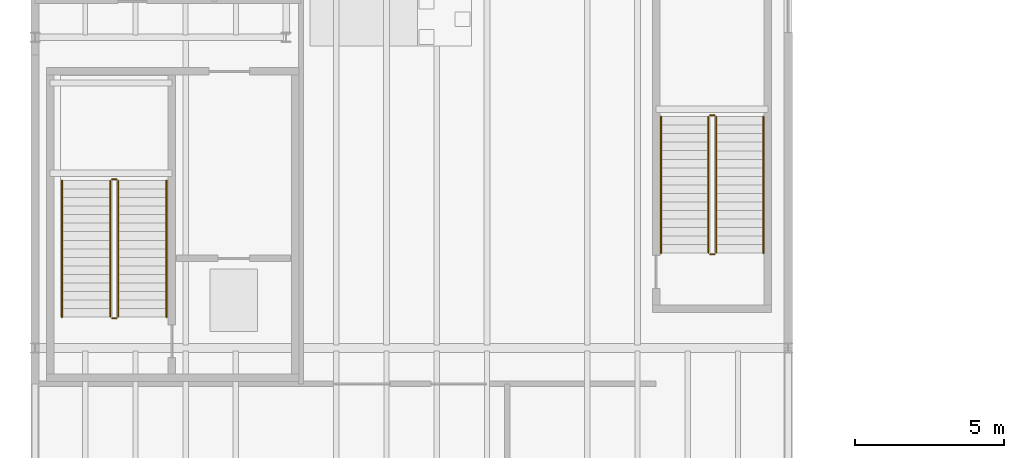
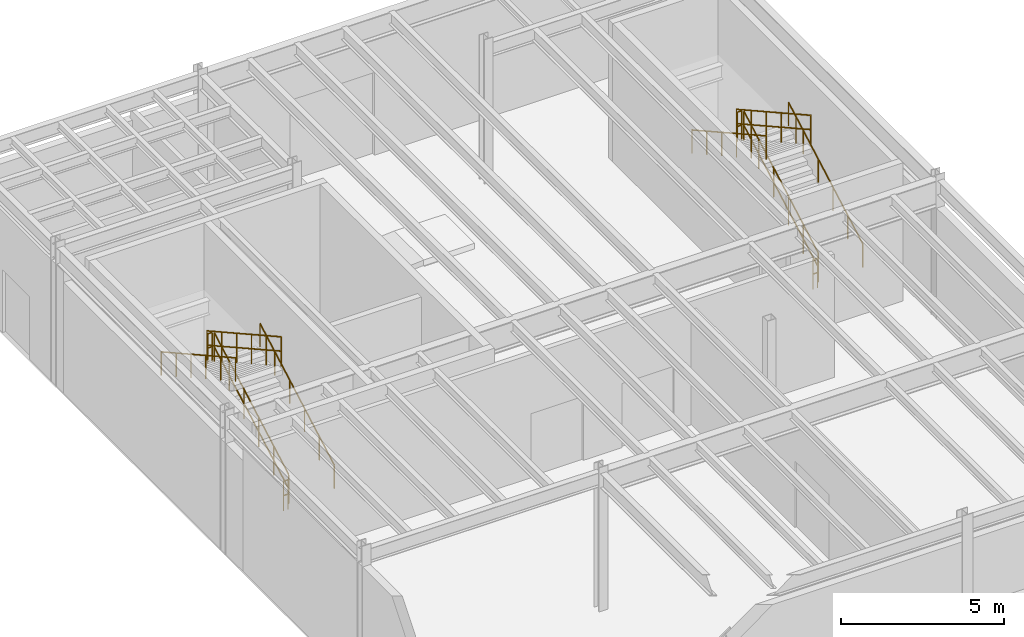
# One storey, part 84 of 87: 12 railings.
"""IFC4 building model written with IfcOpenShell, lengths in metres."""

import ifcopenshell
import ifcopenshell.guid

model = None  # the IFC model being written
_history = None  # IfcOwnerHistory: only IFC2X3 demands one
_inside = {}  # id of a spatial element -> (the spatial element, [elements in it])
_under = {}  # id of a project, library or spatial element -> (it, [spatial elements below it])
_declared = {}  # id of a project -> (the project, [libraries it declares])
_typed = {}  # id of a type object -> (the type object, [elements of that type])
_made_of = {}  # id of a material, layer set ... -> (it, [elements and type objects made of it])


def new_model(schema):
    """Start an empty IFC model of exactly this schema.

    Asked for "IFC4X3", IfcOpenShell would pick the latest addendum, in which some entities
    have other attributes; the version numbers below select the first issue.
    IFC2X3 requires an IfcOwnerHistory on every rooted entity: one is made here for all.
    """
    global model, _history
    if schema == "IFC4X3":
        model = ifcopenshell.file(schema_version=(4, 3, 0, 0))
    else:
        model = ifcopenshell.file(schema=schema)
    _inside.clear()
    _under.clear()
    _declared.clear()
    _typed.clear()
    _made_of.clear()
    _history = None
    if model.schema == "IFC2X3":
        org = make("IfcOrganization", Name="unknown")
        user = make(
            "IfcPersonAndOrganization",
            ThePerson=make("IfcPerson", FamilyName="unknown"),
            TheOrganization=org,
        )
        app = make(
            "IfcApplication",
            ApplicationDeveloper=org,
            Version="unknown",
            ApplicationFullName="unknown",
            ApplicationIdentifier="unknown",
        )
        _history = make(
            "IfcOwnerHistory",
            OwningUser=user,
            OwningApplication=app,
            ChangeAction="ADDED",
            CreationDate=0,
        )
    return model


def make(cls, **values):
    """One entity of the class cls with the attributes given. An attribute that is None is left unset."""
    return model.create_entity(
        cls, **{name: value for name, value in values.items() if value is not None}
    )


def rooted(cls, **values):
    """An entity with a GlobalId (a new one), such as an element, a storey or a relation."""
    return make(cls, GlobalId=ifcopenshell.guid.new(), OwnerHistory=_history, **values)


def si_unit(unit_type, name, prefix=None):
    """IfcSIUnit, for example si_unit("LENGTHUNIT", "METRE", prefix="MILLI")."""
    return make("IfcSIUnit", UnitType=unit_type, Prefix=prefix, Name=name)


def assignment(units):
    """IfcUnitAssignment: the units of a project."""
    return None if units is None else make("IfcUnitAssignment", Units=units)


def point(xyz):
    """IfcCartesianPoint."""
    return None if xyz is None else make("IfcCartesianPoint", Coordinates=xyz)


def direction(xyz):
    """IfcDirection."""
    return None if xyz is None else make("IfcDirection", DirectionRatios=xyz)


def frame(location, z_axis=None, x_axis=None):
    """IfcAxis2Placement3D, a coordinate frame: its origin and axes. An axis left out is left unset."""
    return make(
        "IfcAxis2Placement3D",
        Location=point(location),
        Axis=direction(z_axis),
        RefDirection=direction(x_axis),
    )


def frame_2d(location, x_axis=None):
    """IfcAxis2Placement2D, a coordinate frame in the plane: its origin and x axis."""
    return make(
        "IfcAxis2Placement2D", Location=point(location), RefDirection=direction(x_axis)
    )


def origin():
    """The frame at (0, 0, 0) with its axes left unset."""
    return frame((0.0, 0.0, 0.0))


def origin_2d():
    """The frame at (0, 0) in the plane with its x axis left unset."""
    return frame_2d((0.0, 0.0))


def place(relative_to, where):
    """IfcLocalPlacement: puts the frame where relative to a parent placement (None: the world)."""
    return make(
        "IfcLocalPlacement", PlacementRelTo=relative_to, RelativePlacement=where
    )


def context(
    kind, dimensions, precision=None, world=None, true_north=None, identifier=None
):
    """IfcGeometricRepresentationContext, for example the 3D "Model" context."""
    return make(
        "IfcGeometricRepresentationContext",
        ContextIdentifier=identifier,
        ContextType=kind,
        CoordinateSpaceDimension=dimensions,
        Precision=precision,
        WorldCoordinateSystem=world,
        TrueNorth=true_north,
    )


def subcontext(parent, identifier, kind, view, scale=None):
    """IfcGeometricRepresentationSubContext, for example "Body" below "Model"."""
    return make(
        "IfcGeometricRepresentationSubContext",
        ContextIdentifier=identifier,
        ContextType=kind,
        ParentContext=parent,
        TargetScale=scale,
        TargetView=view,
    )


def project(units=None, contexts=None):
    """IfcProject with its units and contexts."""
    return rooted(
        "IfcProject",
        Name="project",
        RepresentationContexts=contexts,
        UnitsInContext=assignment(units),
    )


def spatial(cls, under=None, at=None, **own):
    """A site, building, storey or space (cls), placed at a placement, below another one or the project."""
    s = rooted(cls, ObjectPlacement=at, **own)
    if under is not None:
        _under.setdefault(under.id(), (under, []))[1].append(s)
    return s


def profile(cls, at=None, kind="AREA", **sizes):
    """A parametric profile (cls). Its sizes go by their IFC names, for example OverallWidth=200.0."""
    return make(cls, ProfileType=kind, Position=at, **sizes)


def circle(**sizes):
    """IfcCircleProfileDef."""
    return profile("IfcCircleProfileDef", **sizes)


def extrude(swept, where, along, depth):
    """IfcExtrudedAreaSolid: the profile swept, set in the frame where, extruded along a direction by depth."""
    return make(
        "IfcExtrudedAreaSolid",
        SweptArea=swept,
        Position=where,
        ExtrudedDirection=direction(along),
        Depth=depth,
    )


def shape(context_of_items, identifier, shape_type, items):
    """IfcShapeRepresentation: the items that make up one representation, for example the "Body"."""
    return make(
        "IfcShapeRepresentation",
        ContextOfItems=context_of_items,
        RepresentationIdentifier=identifier,
        RepresentationType=shape_type,
        Items=items,
    )


def material(Name=None, Category=None):
    """IfcMaterial."""
    return make("IfcMaterial", Name=Name, Category=Category)


def layer(
    of_material, thickness, ventilated=None, Name=None, Category=None, Priority=None
):
    """IfcMaterialLayer: one layer of a wall or slab, of a material (None: an air gap)."""
    return make(
        "IfcMaterialLayer",
        Material=of_material,
        LayerThickness=thickness,
        IsVentilated=ventilated,
        Name=Name,
        Category=Category,
        Priority=Priority,
    )


def layer_set(layers, Name=None):
    """IfcMaterialLayerSet."""
    return make("IfcMaterialLayerSet", MaterialLayers=layers, LayerSetName=Name)


def made_of(thing, what):
    """Note that an element or type object is made of a material, layer set ...; save() writes the relation."""
    if what is not None:
        _made_of.setdefault(what.id(), (what, []))[1].append(thing)
    return thing


def type_object(cls, material=None, **own):
    """A type object (cls), such as IfcWallType, which elements share."""
    return made_of(rooted(cls, **own), material)


def element(
    cls,
    number,
    at=None,
    inside=None,
    cuts=None,
    type_object=None,
    material=None,
    context=None,
    identifier="Body",
    shape_type=None,
    held_by="IfcProductDefinitionShape",
    body=None,
    shapes=None,
    **own,
):
    """One element of the class cls, such as IfcWall. Its Tag is "e" and its number.

    at: its placement. inside: the storey or other place that contains it. cuts: it is an
    opening in that element (IfcRelVoidsElement). A single representation is given by context,
    identifier, shape_type and body (its items); several are given by shapes. held_by: the class
    of the entity that holds the representations. save() writes the other relations.
    """
    e = rooted(cls, Tag="e%d" % number, ObjectPlacement=at, **own)
    if body is not None:
        shapes = [shape(context, identifier, shape_type, body)]
    if shapes is not None:
        e.Representation = make(held_by, Representations=shapes)
    if inside is not None:
        _inside.setdefault(inside.id(), (inside, []))[1].append(e)
    if cuts is not None:
        rooted(
            "IfcRelVoidsElement", RelatingBuildingElement=cuts, RelatedOpeningElement=e
        )
    if type_object is not None:
        _typed.setdefault(type_object.id(), (type_object, []))[1].append(e)
    return made_of(e, material)


def aggregate(whole, parts):
    """IfcRelAggregates: a whole, such as a stair, and the parts it consists of."""
    return rooted("IfcRelAggregates", RelatingObject=whole, RelatedObjects=parts)


def save(model, path):
    """Write the relations noted so far, then the file.

    IfcRelAggregates (storeys below a building ...), IfcRelContainedInSpatialStructure (elements
    in a storey), IfcRelDefinesByType, IfcRelAssociatesMaterial and IfcRelDeclares: one each for
    every whole, place, type object, material and project.
    """
    for whole, parts in _under.values():
        aggregate(whole, parts)
    for where, things in _inside.values():
        rooted(
            "IfcRelContainedInSpatialStructure",
            RelatedElements=things,
            RelatingStructure=where,
        )
    for kind, things in _typed.values():
        rooted("IfcRelDefinesByType", RelatedObjects=things, RelatingType=kind)
    for what, things in _made_of.values():
        rooted("IfcRelAssociatesMaterial", RelatedObjects=things, RelatingMaterial=what)
    for by, libraries in _declared.values():
        rooted("IfcRelDeclares", RelatingContext=by, RelatedDefinitions=libraries)
    model.write(path)


model = new_model("IFC4")

# Units and contexts
model_context = context("Model", 3, precision=1e-05, world=origin(), true_north=direction((0.0, 1.0)))
body_context = subcontext(model_context, "Body", "Model", "MODEL_VIEW")
ifc_project = project(units=[si_unit("LENGTHUNIT", "METRE"), si_unit("AREAUNIT", "SQUARE_METRE"), si_unit("VOLUMEUNIT", "CUBIC_METRE"), si_unit("PLANEANGLEUNIT", "RADIAN"), si_unit("MASSUNIT", "GRAM", prefix="KILO")], contexts=[model_context])

# Site, building, storey
site_placement = place(None, origin())
site = spatial("IfcSite", under=ifc_project, at=site_placement, CompositionType="ELEMENT")
building_placement = place(site_placement, origin())
building = spatial("IfcBuilding", under=site, at=building_placement, Name="Selat Folded Stagehouse", CompositionType="ELEMENT")
storey_placement = place(building_placement, origin())
storey = spatial("IfcBuildingStorey", under=building, at=storey_placement, Name="L00", CompositionType="ELEMENT", Elevation=0.0)

# Railings
ifc_material_1 = material(Name="Bronze-anodised steel balustrade", Category="steel")
ifc_layer_1 = layer(ifc_material_1, 0.06494140625)
ifc_layer_set_1 = layer_set([ifc_layer_1], Name="Bronze-anodised steel balustrade")
railing_type_1 = type_object("IfcRailingType", Name="RLG-BAL-1120", PredefinedType="BALUSTRADE", material=ifc_layer_set_1)
railing_1_placement = place(storey_placement, frame((2.780029296875, 71.840087890625, 0.158935546875)))
element("IfcRailing", 1, at=railing_1_placement, inside=storey, type_object=railing_type_1, Name="L00 ST-05 stair well guard 1", PredefinedType="BALUSTRADE", context=body_context, shape_type="SweptSolid", body=[
    extrude(circle(Radius=0.02392578125, at=origin_2d()), frame((0.0, 0.0, 1.09619140625), z_axis=(0.0, 0.873523373218, 0.486782206374), x_axis=(-1.0, 0.0, 0.0)), (0.0, 0.0, 1.0), 5.219970703125),
    extrude(circle(Radius=0.02392578125, at=origin_2d()), frame((0.0, 0.0, 0.56005859375), z_axis=(0.0, 0.873523373218, 0.486782206374), x_axis=(-1.0, 0.0, 0.0)), (0.0, 0.0, 1.0), 5.219970703125),
    extrude(circle(Radius=0.02099609375, at=origin_2d()), origin(), (0.0, 0.0, 1.0), 1.072021484375),
    extrude(circle(Radius=0.02099609375, at=origin_2d()), frame((0.0, 0.911865234375, 0.50830078125)), (0.0, 0.0, 1.0), 1.072021484375),
    extrude(circle(Radius=0.02099609375, at=origin_2d()), frame((0.0, 1.823974609375, 1.016357421875)), (0.0, 0.0, 1.0), 1.072021484375),
    extrude(circle(Radius=0.02099609375, at=origin_2d()), frame((0.0, 2.73583984375, 1.524658203125)), (0.0, 0.0, 1.0), 1.072021484375),
    extrude(circle(Radius=0.02099609375, at=origin_2d()), frame((0.0, 3.64794921875, 2.03271484375)), (0.0, 0.0, 1.0), 1.072021484375),
    extrude(circle(Radius=0.02099609375, at=origin_2d()), frame((0.0, 4.559814453125, 2.541015625)), (0.0, 0.0, 1.0), 1.072021484375),
])
railing_2_placement = place(storey_placement, frame((2.72998046875, 76.449951171875, 2.699951171875)))
element("IfcRailing", 2, at=railing_2_placement, inside=storey, type_object=railing_type_1, Name="L00 ST-05 stair well guard 2", PredefinedType="BALUSTRADE", context=body_context, shape_type="SweptSolid", body=[
    extrude(circle(Radius=0.02392578125, at=origin_2d()), frame((0.0, 0.0, 1.09619140625), z_axis=(-1.0, 0.0, 0.0), x_axis=(0.0, -1.0, 0.0)), (0.0, 0.0, 1.0), 0.159912109375),
    extrude(circle(Radius=0.02392578125, at=origin_2d()), frame((0.0, 0.0, 0.56005859375), z_axis=(-1.0, 0.0, 0.0), x_axis=(0.0, -1.0, 0.0)), (0.0, 0.0, 1.0), 0.159912109375),
    extrude(circle(Radius=0.02099609375, at=origin_2d()), origin(), (0.0, 0.0, 1.0), 1.072021484375),
    extrude(circle(Radius=0.02099609375, at=origin_2d()), frame((-0.159912109375, 0.0, 0.0)), (0.0, 0.0, 1.0), 1.072021484375),
])
railing_3_placement = place(storey_placement, frame((2.52001953125, 76.39990234375, 2.85888671875)))
element("IfcRailing", 3, at=railing_3_placement, inside=storey, type_object=railing_type_1, Name="L00 ST-05 stair well guard 3", PredefinedType="BALUSTRADE", context=body_context, shape_type="SweptSolid", body=[
    extrude(circle(Radius=0.02392578125, at=origin_2d()), frame((0.0, 0.0, 1.09619140625), z_axis=(0.0, -0.873523373218, 0.486782206374), x_axis=(1.0, 0.0, 0.0)), (0.0, 0.0, 1.0), 5.219970703125),
    extrude(circle(Radius=0.02392578125, at=origin_2d()), frame((0.0, 0.0, 0.56005859375), z_axis=(0.0, -0.873523373218, 0.486782206374), x_axis=(1.0, 0.0, 0.0)), (0.0, 0.0, 1.0), 5.219970703125),
    extrude(circle(Radius=0.02099609375, at=origin_2d()), origin(), (0.0, 0.0, 1.0), 1.072021484375),
    extrude(circle(Radius=0.02099609375, at=origin_2d()), frame((0.0, -0.911865234375, 0.50830078125)), (0.0, 0.0, 1.0), 1.072021484375),
    extrude(circle(Radius=0.02099609375, at=origin_2d()), frame((0.0, -1.823974609375, 1.016357421875)), (0.0, 0.0, 1.0), 1.072021484375),
    extrude(circle(Radius=0.02099609375, at=origin_2d()), frame((0.0, -2.73583984375, 1.524658203125)), (0.0, 0.0, 1.0), 1.072021484375),
    extrude(circle(Radius=0.02099609375, at=origin_2d()), frame((0.0, -3.64794921875, 2.03271484375)), (0.0, 0.0, 1.0), 1.072021484375),
    extrude(circle(Radius=0.02099609375, at=origin_2d()), frame((0.0, -4.559814453125, 2.541015625)), (0.0, 0.0, 1.0), 1.072021484375),
])
railing_4_placement = place(storey_placement, frame((2.72998046875, 71.7900390625, 0.0)))
element("IfcRailing", 4, at=railing_4_placement, inside=storey, type_object=railing_type_1, Name="L00 ST-05 stair well guard 4", PredefinedType="BALUSTRADE", context=body_context, shape_type="SweptSolid", body=[
    extrude(circle(Radius=0.02392578125, at=origin_2d()), frame((0.0, 0.0, 1.09619140625), z_axis=(-1.0, 0.0, 0.0), x_axis=(0.0, -1.0, 0.0)), (0.0, 0.0, 1.0), 0.159912109375),
    extrude(circle(Radius=0.02392578125, at=origin_2d()), frame((0.0, 0.0, 0.56005859375), z_axis=(-1.0, 0.0, 0.0), x_axis=(0.0, -1.0, 0.0)), (0.0, 0.0, 1.0), 0.159912109375),
    extrude(circle(Radius=0.02099609375, at=origin_2d()), origin(), (0.0, 0.0, 1.0), 1.072021484375),
    extrude(circle(Radius=0.02099609375, at=origin_2d()), frame((-0.159912109375, 0.0, 0.0)), (0.0, 0.0, 1.0), 1.072021484375),
])
railing_5_placement = place(storey_placement, frame((22.7900390625, 73.97998046875, 0.158935546875)))
element("IfcRailing", 5, at=railing_5_placement, inside=storey, type_object=railing_type_1, Name="L00 ST-07 stair well guard 1", PredefinedType="BALUSTRADE", context=body_context, shape_type="SweptSolid", body=[
    extrude(circle(Radius=0.02392578125, at=origin_2d()), frame((0.0, 0.0, 1.09619140625), z_axis=(0.0, 0.873534455015, 0.486762319723), x_axis=(-1.0, 0.0, 0.0)), (0.0, 0.0, 1.0), 5.22021484375),
    extrude(circle(Radius=0.02392578125, at=origin_2d()), frame((0.0, 0.0, 0.56005859375), z_axis=(0.0, 0.873534455015, 0.486762319723), x_axis=(-1.0, 0.0, 0.0)), (0.0, 0.0, 1.0), 5.22021484375),
    extrude(circle(Radius=0.02099609375, at=origin_2d()), origin(), (0.0, 0.0, 1.0), 1.072021484375),
    extrude(circle(Radius=0.02099609375, at=origin_2d()), frame((0.0, 0.912109375, 0.50830078125)), (0.0, 0.0, 1.0), 1.072021484375),
    extrude(circle(Radius=0.02099609375, at=origin_2d()), frame((0.0, 1.823974609375, 1.016357421875)), (0.0, 0.0, 1.0), 1.072021484375),
    extrude(circle(Radius=0.02099609375, at=origin_2d()), frame((0.0, 2.736083984375, 1.524658203125)), (0.0, 0.0, 1.0), 1.072021484375),
    extrude(circle(Radius=0.02099609375, at=origin_2d()), frame((0.0, 3.64794921875, 2.03271484375)), (0.0, 0.0, 1.0), 1.072021484375),
    extrude(circle(Radius=0.02099609375, at=origin_2d()), frame((0.0, 4.56005859375, 2.541015625)), (0.0, 0.0, 1.0), 1.072021484375),
])
railing_6_placement = place(storey_placement, frame((22.739990234375, 78.590087890625, 2.699951171875)))
element("IfcRailing", 6, at=railing_6_placement, inside=storey, type_object=railing_type_1, Name="L00 ST-07 stair well guard 2", PredefinedType="BALUSTRADE", context=body_context, shape_type="SweptSolid", body=[
    extrude(circle(Radius=0.02392578125, at=origin_2d()), frame((0.0, 0.0, 1.09619140625), z_axis=(-1.0, 0.0, 0.0), x_axis=(0.0, -1.0, 0.0)), (0.0, 0.0, 1.0), 0.159912109375),
    extrude(circle(Radius=0.02392578125, at=origin_2d()), frame((0.0, 0.0, 0.56005859375), z_axis=(-1.0, 0.0, 0.0), x_axis=(0.0, -1.0, 0.0)), (0.0, 0.0, 1.0), 0.159912109375),
    extrude(circle(Radius=0.02099609375, at=origin_2d()), origin(), (0.0, 0.0, 1.0), 1.072021484375),
    extrude(circle(Radius=0.02099609375, at=origin_2d()), frame((-0.159912109375, 0.0, 0.0)), (0.0, 0.0, 1.0), 1.072021484375),
])
railing_7_placement = place(storey_placement, frame((22.530029296875, 78.5400390625, 2.85888671875)))
element("IfcRailing", 7, at=railing_7_placement, inside=storey, type_object=railing_type_1, Name="L00 ST-07 stair well guard 3", PredefinedType="BALUSTRADE", context=body_context, shape_type="SweptSolid", body=[
    extrude(circle(Radius=0.02392578125, at=origin_2d()), frame((0.0, 0.0, 1.09619140625), z_axis=(0.0, -0.873534455015, 0.486762319723), x_axis=(1.0, 0.0, 0.0)), (0.0, 0.0, 1.0), 5.22021484375),
    extrude(circle(Radius=0.02392578125, at=origin_2d()), frame((0.0, 0.0, 0.56005859375), z_axis=(0.0, -0.873534455015, 0.486762319723), x_axis=(1.0, 0.0, 0.0)), (0.0, 0.0, 1.0), 5.22021484375),
    extrude(circle(Radius=0.02099609375, at=origin_2d()), origin(), (0.0, 0.0, 1.0), 1.072021484375),
    extrude(circle(Radius=0.02099609375, at=origin_2d()), frame((0.0, -0.912109375, 0.50830078125)), (0.0, 0.0, 1.0), 1.072021484375),
    extrude(circle(Radius=0.02099609375, at=origin_2d()), frame((0.0, -1.823974609375, 1.016357421875)), (0.0, 0.0, 1.0), 1.072021484375),
    extrude(circle(Radius=0.02099609375, at=origin_2d()), frame((0.0, -2.736083984375, 1.524658203125)), (0.0, 0.0, 1.0), 1.072021484375),
    extrude(circle(Radius=0.02099609375, at=origin_2d()), frame((0.0, -3.64794921875, 2.03271484375)), (0.0, 0.0, 1.0), 1.072021484375),
    extrude(circle(Radius=0.02099609375, at=origin_2d()), frame((0.0, -4.56005859375, 2.541015625)), (0.0, 0.0, 1.0), 1.072021484375),
])
railing_8_placement = place(storey_placement, frame((22.739990234375, 73.929931640625, 0.0)))
element("IfcRailing", 8, at=railing_8_placement, inside=storey, type_object=railing_type_1, Name="L00 ST-07 stair well guard 4", PredefinedType="BALUSTRADE", context=body_context, shape_type="SweptSolid", body=[
    extrude(circle(Radius=0.02392578125, at=origin_2d()), frame((0.0, 0.0, 1.09619140625), z_axis=(-1.0, 0.0, 0.0), x_axis=(0.0, -1.0, 0.0)), (0.0, 0.0, 1.0), 0.159912109375),
    extrude(circle(Radius=0.02392578125, at=origin_2d()), frame((0.0, 0.0, 0.56005859375), z_axis=(-1.0, 0.0, 0.0), x_axis=(0.0, -1.0, 0.0)), (0.0, 0.0, 1.0), 0.159912109375),
    extrude(circle(Radius=0.02099609375, at=origin_2d()), origin(), (0.0, 0.0, 1.0), 1.072021484375),
    extrude(circle(Radius=0.02099609375, at=origin_2d()), frame((-0.159912109375, 0.0, 0.0)), (0.0, 0.0, 1.0), 1.072021484375),
])
ifc_material_2 = material(Name="Brushed stainless steel 1.4301", Category="steel")
ifc_layer_2 = layer(ifc_material_2, 0.048095703125)
ifc_layer_set_2 = layer_set([ifc_layer_2], Name="Brushed stainless steel 1.4301")
railing_type_2 = type_object("IfcRailingType", Name="RLG-HANDRAIL-900", PredefinedType="HANDRAIL", material=ifc_layer_set_2)
railing_9_placement = place(storey_placement, frame((4.39990234375, 71.840087890625, 0.158935546875)))
element("IfcRailing", 9, at=railing_9_placement, inside=storey, type_object=railing_type_2, Name="L00 ST-05 wall handrail 1", PredefinedType="HANDRAIL", context=body_context, shape_type="SweptSolid", body=[
    extrude(circle(Radius=0.02392578125, at=origin_2d()), frame((0.0, 0.0, 0.8759765625), z_axis=(0.0, 0.873523373218, 0.486782206374), x_axis=(-1.0, 0.0, 0.0)), (0.0, 0.0, 1.0), 5.219970703125),
    extrude(circle(Radius=0.02099609375, at=origin_2d()), origin(), (0.0, 0.0, 1.0), 0.851806640625),
    extrude(circle(Radius=0.02099609375, at=origin_2d()), frame((0.0, 0.911865234375, 0.50830078125)), (0.0, 0.0, 1.0), 0.851806640625),
    extrude(circle(Radius=0.02099609375, at=origin_2d()), frame((0.0, 1.823974609375, 1.016357421875)), (0.0, 0.0, 1.0), 0.851806640625),
    extrude(circle(Radius=0.02099609375, at=origin_2d()), frame((0.0, 2.73583984375, 1.524658203125)), (0.0, 0.0, 1.0), 0.851806640625),
    extrude(circle(Radius=0.02099609375, at=origin_2d()), frame((0.0, 3.64794921875, 2.03271484375)), (0.0, 0.0, 1.0), 0.851806640625),
    extrude(circle(Radius=0.02099609375, at=origin_2d()), frame((0.0, 4.559814453125, 2.541015625)), (0.0, 0.0, 1.0), 0.851806640625),
])
railing_10_placement = place(storey_placement, frame((0.89990234375, 76.39990234375, 2.85888671875)))
element("IfcRailing", 10, at=railing_10_placement, inside=storey, type_object=railing_type_2, Name="L00 ST-05 wall handrail 2", PredefinedType="HANDRAIL", context=body_context, shape_type="SweptSolid", body=[
    extrude(circle(Radius=0.02392578125, at=origin_2d()), frame((0.0, 0.0, 0.8759765625), z_axis=(0.0, -0.873523373218, 0.486782206374), x_axis=(1.0, 0.0, 0.0)), (0.0, 0.0, 1.0), 5.219970703125),
    extrude(circle(Radius=0.02099609375, at=origin_2d()), origin(), (0.0, 0.0, 1.0), 0.851806640625),
    extrude(circle(Radius=0.02099609375, at=origin_2d()), frame((0.0, -0.911865234375, 0.50830078125)), (0.0, 0.0, 1.0), 0.851806640625),
    extrude(circle(Radius=0.02099609375, at=origin_2d()), frame((0.0, -1.823974609375, 1.016357421875)), (0.0, 0.0, 1.0), 0.851806640625),
    extrude(circle(Radius=0.02099609375, at=origin_2d()), frame((0.0, -2.73583984375, 1.524658203125)), (0.0, 0.0, 1.0), 0.851806640625),
    extrude(circle(Radius=0.02099609375, at=origin_2d()), frame((0.0, -3.64794921875, 2.03271484375)), (0.0, 0.0, 1.0), 0.851806640625),
    extrude(circle(Radius=0.02099609375, at=origin_2d()), frame((0.0, -4.559814453125, 2.541015625)), (0.0, 0.0, 1.0), 0.851806640625),
])
railing_11_placement = place(storey_placement, frame((24.3701171875, 73.97998046875, 0.158935546875)))
element("IfcRailing", 11, at=railing_11_placement, inside=storey, type_object=railing_type_2, Name="L00 ST-07 wall handrail 1", PredefinedType="HANDRAIL", context=body_context, shape_type="SweptSolid", body=[
    extrude(circle(Radius=0.02392578125, at=origin_2d()), frame((0.0, 0.0, 0.8759765625), z_axis=(0.0, 0.873534455015, 0.486762319723), x_axis=(-1.0, 0.0, 0.0)), (0.0, 0.0, 1.0), 5.22021484375),
    extrude(circle(Radius=0.02099609375, at=origin_2d()), origin(), (0.0, 0.0, 1.0), 0.851806640625),
    extrude(circle(Radius=0.02099609375, at=origin_2d()), frame((0.0, 0.912109375, 0.50830078125)), (0.0, 0.0, 1.0), 0.851806640625),
    extrude(circle(Radius=0.02099609375, at=origin_2d()), frame((0.0, 1.823974609375, 1.016357421875)), (0.0, 0.0, 1.0), 0.851806640625),
    extrude(circle(Radius=0.02099609375, at=origin_2d()), frame((0.0, 2.736083984375, 1.524658203125)), (0.0, 0.0, 1.0), 0.851806640625),
    extrude(circle(Radius=0.02099609375, at=origin_2d()), frame((0.0, 3.64794921875, 2.03271484375)), (0.0, 0.0, 1.0), 0.851806640625),
    extrude(circle(Radius=0.02099609375, at=origin_2d()), frame((0.0, 4.56005859375, 2.541015625)), (0.0, 0.0, 1.0), 0.851806640625),
])
railing_12_placement = place(storey_placement, frame((20.949951171875, 78.5400390625, 2.85888671875)))
element("IfcRailing", 12, at=railing_12_placement, inside=storey, type_object=railing_type_2, Name="L00 ST-07 wall handrail 2", PredefinedType="HANDRAIL", context=body_context, shape_type="SweptSolid", body=[
    extrude(circle(Radius=0.02392578125, at=origin_2d()), frame((0.0, 0.0, 0.8759765625), z_axis=(0.0, -0.873534455015, 0.486762319723), x_axis=(1.0, 0.0, 0.0)), (0.0, 0.0, 1.0), 5.22021484375),
    extrude(circle(Radius=0.02099609375, at=origin_2d()), origin(), (0.0, 0.0, 1.0), 0.851806640625),
    extrude(circle(Radius=0.02099609375, at=origin_2d()), frame((0.0, -0.912109375, 0.50830078125)), (0.0, 0.0, 1.0), 0.851806640625),
    extrude(circle(Radius=0.02099609375, at=origin_2d()), frame((0.0, -1.823974609375, 1.016357421875)), (0.0, 0.0, 1.0), 0.851806640625),
    extrude(circle(Radius=0.02099609375, at=origin_2d()), frame((0.0, -2.736083984375, 1.524658203125)), (0.0, 0.0, 1.0), 0.851806640625),
    extrude(circle(Radius=0.02099609375, at=origin_2d()), frame((0.0, -3.64794921875, 2.03271484375)), (0.0, 0.0, 1.0), 0.851806640625),
    extrude(circle(Radius=0.02099609375, at=origin_2d()), frame((0.0, -4.56005859375, 2.541015625)), (0.0, 0.0, 1.0), 0.851806640625),
])

save(model, "model.ifc")
